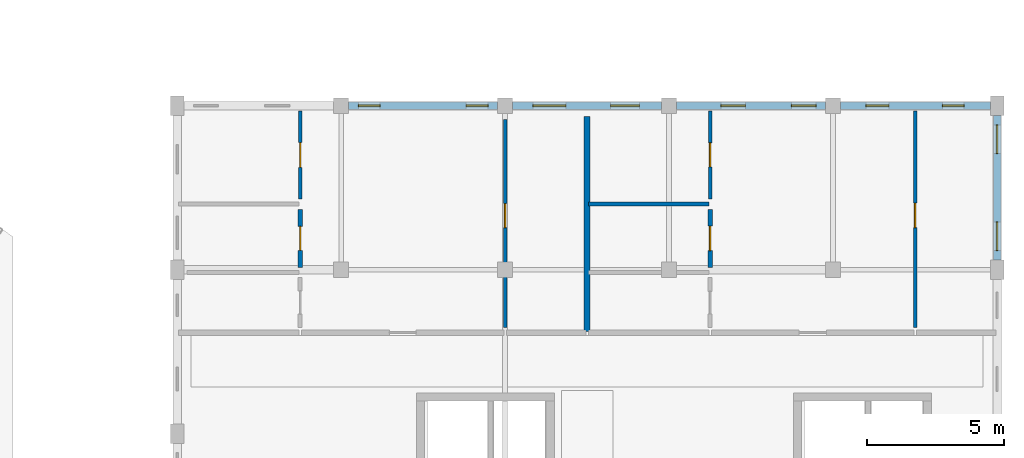
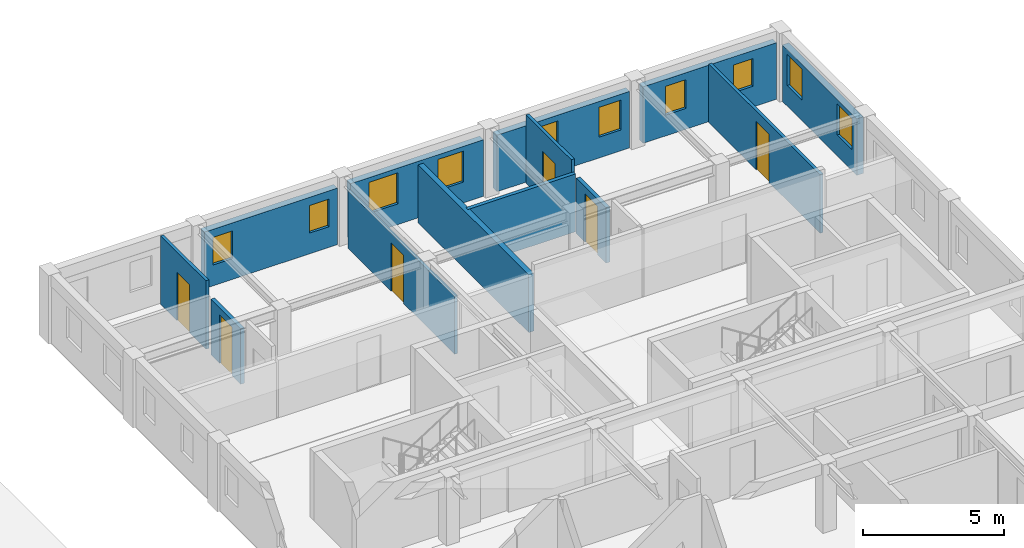
# One storey, part 43 of 58: 13 walls, 10 windows, 6 doors, 16 openings.
"""IFC4 building model written with IfcOpenShell, lengths in metres."""

from ifc_helpers import new_model, si_unit, direction, frame, frame_2d, origin, place, context, subcontext, project, spatial, rectangle, extrude, material, layer, layer_set, type_object, element, fill, save


model = new_model("IFC4")

# Units and contexts
model_context = context("Model", 3, precision=1e-05, world=origin(), true_north=direction((0.0, 1.0)))
body_context = subcontext(model_context, "Body", "Model", "MODEL_VIEW")
ifc_project = project(units=[si_unit("LENGTHUNIT", "METRE"), si_unit("AREAUNIT", "SQUARE_METRE"), si_unit("VOLUMEUNIT", "CUBIC_METRE"), si_unit("PLANEANGLEUNIT", "RADIAN"), si_unit("MASSUNIT", "GRAM", prefix="KILO"), si_unit("POWERUNIT", "WATT"), si_unit("THERMODYNAMICTEMPERATUREUNIT", "KELVIN")], contexts=[model_context])

# Site, building, storey
site_placement = place(None, origin())
site = spatial("IfcSite", under=ifc_project, at=site_placement, CompositionType="ELEMENT")
building_placement = place(site_placement, origin())
building = spatial("IfcBuilding", under=site, at=building_placement, Name="Ruvembo Vaulted Housing Court", CompositionType="ELEMENT")
storey_placement = place(building_placement, frame((0.0, 0.0, 20.5)))
storey = spatial("IfcBuildingStorey", under=building, at=storey_placement, Name="L06", CompositionType="ELEMENT", Elevation=20.5)

# Wall
ifc_material_1 = material(Name="Acoustic Masonry Demising 220", Category="masonry")
ifc_layer_1 = layer(ifc_material_1, 0.219970703125, Name="Acoustic Masonry Demising 220")
ifc_layer_set_1 = layer_set([ifc_layer_1], Name="Acoustic Masonry Demising 220")
wall_type_1 = type_object("IfcWallType", Name="WL-DEM-200", PredefinedType="SOLIDWALL", material=ifc_layer_set_1)
wall_1_placement = place(storey_placement, frame((171.0, 93.739990234375, 0.0), z_axis=(0.0, 0.0, 1.0), x_axis=(0.0, 1.0, 0.0)))
element("IfcWall", 1, at=wall_1_placement, inside=storey, type_object=wall_type_1, Name="L06 Demising D-L06-N1 WL-INT-L06-01843", PredefinedType="SOLIDWALL", context=body_context, shape_type="SweptSolid", body=[
    extrude(rectangle(XDim=7.8701171875, YDim=0.219970703125, at=frame_2d((3.93505859375, 0.0))), origin(), (0.0, 0.0, 1.0), 2.508056640625),
])

# Wall, openings, windows
ifc_material_2 = material(Name="Rendered Masonry 270", Category="masonry")
ifc_layer_2 = layer(ifc_material_2, 0.27001953125, Name="Rendered Masonry 270")
ifc_layer_set_2 = layer_set([ifc_layer_2], Name="Rendered Masonry 270")
wall_type_2 = type_object("IfcWallType", Name="WL-EXT-270", PredefinedType="STANDARD", material=ifc_layer_set_2)
wall_2_placement = place(storey_placement, frame((186.0, 96.35009765625, 0.0), z_axis=(0.0, 0.0, 1.0), x_axis=(0.0, 1.0, 0.0)))
wall_2 = element("IfcWall", 2, at=wall_2_placement, inside=storey, type_object=wall_type_2, Name="Block D L06 Exterior Wall EAST #5", PredefinedType="STANDARD", context=body_context, shape_type="SweptSolid", body=[
    extrude(rectangle(XDim=5.2998046875, YDim=0.27001953125, at=frame_2d((2.64990234375, 0.0))), origin(), (0.0, 0.0, 1.0), 2.451904296875),
])
opening_1_placement = place(wall_2_placement, frame((0.35009765625, 0.0, 0.89990234375)))
opening_1 = element("IfcOpeningElement", 3, at=opening_1_placement, cuts=wall_2, Name="Opening W09", PredefinedType="OPENING", context=body_context, shape_type="SweptSolid", body=[
    extrude(rectangle(XDim=1.050048828125, YDim=1.35009765625, at=frame_2d((0.52490234375, 0.675048828125))), frame((0.0, 0.14501953125, 0.0), z_axis=(0.0, -1.0, 0.0), x_axis=(1.0, 0.0, 0.0)), (0.0, 0.0, 1.0), 0.2900390625),
])
opening_2_placement = place(wall_2_placement, frame((3.89990234375, 0.0, 0.89990234375)))
opening_2 = element("IfcOpeningElement", 4, at=opening_2_placement, cuts=wall_2, Name="Opening W09", PredefinedType="OPENING", context=body_context, shape_type="SweptSolid", body=[
    extrude(rectangle(XDim=1.050048828125, YDim=1.35009765625, at=frame_2d((0.52490234375, 0.675048828125))), frame((0.0, 0.14501953125, 0.0), z_axis=(0.0, -1.0, 0.0), x_axis=(1.0, 0.0, 0.0)), (0.0, 0.0, 1.0), 0.2900390625),
])
ifc_material_3 = material(Name="Double Solar-Control Glazing in Aluminium Frame", Category="aluminium")
window_type_1 = type_object("IfcWindowType", Name="WIN-1050x1350", PartitioningType="SINGLE_PANEL", PredefinedType="WINDOW", material=ifc_material_3)
window_1_placement = place(opening_1_placement, origin())
window_1 = element("IfcWindow", 5, at=window_1_placement, inside=storey, type_object=window_type_1, Name="Block D L06 Window #1720", OverallHeight=1.35009765625, OverallWidth=1.050048828125, PartitioningType="SINGLE_PANEL", PredefinedType="WINDOW", context=body_context, shape_type="SweptSolid", body=[
    extrude(rectangle(XDim=1.050048828125, YDim=1.35009765625, at=frame_2d((0.52490234375, 0.675048828125))), frame((0.0, 0.030029296875, 0.0), z_axis=(0.0, -1.0, 0.0), x_axis=(1.0, 0.0, 0.0)), (0.0, 0.0, 1.0), 0.06005859375),
])
fill(opening_1, window_1)
window_2_placement = place(opening_2_placement, origin())
window_2 = element("IfcWindow", 6, at=window_2_placement, inside=storey, type_object=window_type_1, Name="Block D L06 Window #1721", OverallHeight=1.35009765625, OverallWidth=1.050048828125, PartitioningType="SINGLE_PANEL", PredefinedType="WINDOW", context=body_context, shape_type="SweptSolid", body=[
    extrude(rectangle(XDim=1.050048828125, YDim=1.35009765625, at=frame_2d((0.52490234375, 0.675048828125))), frame((0.0, 0.030029296875, 0.0), z_axis=(0.0, -1.0, 0.0), x_axis=(1.0, 0.0, 0.0)), (0.0, 0.0, 1.0), 0.06005859375),
])
fill(opening_2, window_2)

wall_3_placement = place(storey_placement, frame((185.75, 102.0, 0.0), z_axis=(0.0, 0.0, 1.0), x_axis=(-1.0, 0.0, 0.0)))
wall_3 = element("IfcWall", 7, at=wall_3_placement, inside=storey, type_object=wall_type_2, Name="Block D L06 Exterior Wall STREET #1", PredefinedType="STANDARD", context=body_context, shape_type="SweptSolid", body=[
    extrude(rectangle(XDim=5.47509765625, YDim=0.27001953125, at=frame_2d((2.737548828125, 0.0))), origin(), (0.0, 0.0, 1.0), 2.451904296875),
])
opening_3_placement = place(wall_3_placement, frame((0.955078125, 0.0, 0.89990234375)))
opening_3 = element("IfcOpeningElement", 8, at=opening_3_placement, cuts=wall_3, Name="Opening W02", PredefinedType="OPENING", context=body_context, shape_type="SweptSolid", body=[
    extrude(rectangle(XDim=0.800048828125, YDim=1.199951171875, at=frame_2d((0.39990234375, 0.60009765625))), frame((0.0, 0.14501953125, 0.0), z_axis=(0.0, -1.0, 0.0), x_axis=(1.0, 0.0, 0.0)), (0.0, 0.0, 1.0), 0.2900390625),
])
opening_4_placement = place(wall_3_placement, frame((3.70751953125, 0.0, 0.89990234375)))
opening_4 = element("IfcOpeningElement", 9, at=opening_4_placement, cuts=wall_3, Name="Opening W03", PredefinedType="OPENING", context=body_context, shape_type="SweptSolid", body=[
    extrude(rectangle(XDim=0.85009765625, YDim=1.25, at=frame_2d((0.425048828125, 0.625))), frame((0.0, 0.14501953125, 0.0), z_axis=(0.0, -1.0, 0.0), x_axis=(1.0, 0.0, 0.0)), (0.0, 0.0, 1.0), 0.2900390625),
])
window_type_2 = type_object("IfcWindowType", Name="WIN-0800x1200", PartitioningType="SINGLE_PANEL", PredefinedType="WINDOW", material=ifc_material_3)
window_3_placement = place(opening_3_placement, origin())
window_3 = element("IfcWindow", 10, at=window_3_placement, inside=storey, type_object=window_type_2, Name="Block D L06 Window #1722", OverallHeight=1.199951171875, OverallWidth=0.800048828125, PartitioningType="SINGLE_PANEL", PredefinedType="WINDOW", context=body_context, shape_type="SweptSolid", body=[
    extrude(rectangle(XDim=0.800048828125, YDim=1.199951171875, at=frame_2d((0.39990234375, 0.60009765625))), frame((0.0, 0.030029296875, 0.0), z_axis=(0.0, -1.0, 0.0), x_axis=(1.0, 0.0, 0.0)), (0.0, 0.0, 1.0), 0.06005859375),
])
fill(opening_3, window_3)
window_type_3 = type_object("IfcWindowType", Name="WIN-0850x1250", PartitioningType="SINGLE_PANEL", PredefinedType="WINDOW", material=ifc_material_3)
window_4_placement = place(opening_4_placement, origin())
window_4 = element("IfcWindow", 11, at=window_4_placement, inside=storey, type_object=window_type_3, Name="Block D L06 Window #1723", OverallHeight=1.25, OverallWidth=0.85009765625, PartitioningType="SINGLE_PANEL", PredefinedType="WINDOW", context=body_context, shape_type="SweptSolid", body=[
    extrude(rectangle(XDim=0.85009765625, YDim=1.25, at=frame_2d((0.425048828125, 0.625))), frame((0.0, 0.030029296875, 0.0), z_axis=(0.0, -1.0, 0.0), x_axis=(1.0, 0.0, 0.0)), (0.0, 0.0, 1.0), 0.06005859375),
])
fill(opening_4, window_4)

wall_4_placement = place(storey_placement, frame((179.72509765625, 102.0, 0.0), z_axis=(0.0, 0.0, 1.0), x_axis=(-1.0, 0.0, 0.0)))
wall_4 = element("IfcWall", 12, at=wall_4_placement, inside=storey, type_object=wall_type_2, Name="Block D L06 Exterior Wall STREET #2", PredefinedType="STANDARD", context=body_context, shape_type="SweptSolid", body=[
    extrude(rectangle(XDim=5.4501953125, YDim=0.27001953125, at=frame_2d((2.72509765625, 0.0))), origin(), (0.0, 0.0, 1.0), 2.451904296875),
])
opening_5_placement = place(wall_4_placement, frame((0.35009765625, 0.0, 0.89990234375)))
opening_5 = element("IfcOpeningElement", 13, at=opening_5_placement, cuts=wall_4, Name="Opening W04", PredefinedType="OPENING", context=body_context, shape_type="SweptSolid", body=[
    extrude(rectangle(XDim=0.89990234375, YDim=1.300048828125, at=frame_2d((0.449951171875, 0.64990234375))), frame((0.0, 0.14501953125, 0.0), z_axis=(0.0, -1.0, 0.0), x_axis=(1.0, 0.0, 0.0)), (0.0, 0.0, 1.0), 0.2900390625),
])
opening_6_placement = place(wall_4_placement, frame((2.93505859375, 0.0, 0.89990234375)))
opening_6 = element("IfcOpeningElement", 14, at=opening_6_placement, cuts=wall_4, Name="Opening W04", PredefinedType="OPENING", context=body_context, shape_type="SweptSolid", body=[
    extrude(rectangle(XDim=0.89990234375, YDim=1.300048828125, at=frame_2d((0.449951171875, 0.64990234375))), frame((0.0, 0.14501953125, 0.0), z_axis=(0.0, -1.0, 0.0), x_axis=(1.0, 0.0, 0.0)), (0.0, 0.0, 1.0), 0.2900390625),
])
window_type_4 = type_object("IfcWindowType", Name="WIN-0900x1300", PartitioningType="SINGLE_PANEL", PredefinedType="WINDOW", material=ifc_material_3)
window_5_placement = place(opening_5_placement, origin())
window_5 = element("IfcWindow", 15, at=window_5_placement, inside=storey, type_object=window_type_4, Name="Block D L06 Window #1724", OverallHeight=1.300048828125, OverallWidth=0.89990234375, PartitioningType="SINGLE_PANEL", PredefinedType="WINDOW", context=body_context, shape_type="SweptSolid", body=[
    extrude(rectangle(XDim=0.89990234375, YDim=1.300048828125, at=frame_2d((0.449951171875, 0.64990234375))), frame((0.0, 0.030029296875, 0.0), z_axis=(0.0, -1.0, 0.0), x_axis=(1.0, 0.0, 0.0)), (0.0, 0.0, 1.0), 0.06005859375),
])
fill(opening_5, window_5)
window_6_placement = place(opening_6_placement, origin())
window_6 = element("IfcWindow", 16, at=window_6_placement, inside=storey, type_object=window_type_4, Name="Block D L06 Window #1725", OverallHeight=1.300048828125, OverallWidth=0.89990234375, PartitioningType="SINGLE_PANEL", PredefinedType="WINDOW", context=body_context, shape_type="SweptSolid", body=[
    extrude(rectangle(XDim=0.89990234375, YDim=1.300048828125, at=frame_2d((0.449951171875, 0.64990234375))), frame((0.0, 0.030029296875, 0.0), z_axis=(0.0, -1.0, 0.0), x_axis=(1.0, 0.0, 0.0)), (0.0, 0.0, 1.0), 0.06005859375),
])
fill(opening_6, window_6)

wall_5_placement = place(storey_placement, frame((173.72509765625, 102.0, 0.0), z_axis=(0.0, 0.0, 1.0), x_axis=(-1.0, 0.0, 0.0)))
wall_5 = element("IfcWall", 17, at=wall_5_placement, inside=storey, type_object=wall_type_2, Name="Block D L06 Exterior Wall STREET #3", PredefinedType="STANDARD", context=body_context, shape_type="SweptSolid", body=[
    extrude(rectangle(XDim=5.4501953125, YDim=0.27001953125, at=frame_2d((2.72509765625, 0.0))), origin(), (0.0, 0.0, 1.0), 2.451904296875),
])
opening_7_placement = place(wall_5_placement, frame((0.8173828125, 0.0, 0.89990234375)))
opening_7 = element("IfcOpeningElement", 18, at=opening_7_placement, cuts=wall_5, Name="Opening W09", PredefinedType="OPENING", context=body_context, shape_type="SweptSolid", body=[
    extrude(rectangle(XDim=1.050048828125, YDim=1.35009765625, at=frame_2d((0.52490234375, 0.675048828125))), frame((0.0, 0.14501953125, 0.0), z_axis=(0.0, -1.0, 0.0), x_axis=(1.0, 0.0, 0.0)), (0.0, 0.0, 1.0), 0.2900390625),
])
opening_8_placement = place(wall_5_placement, frame((3.507568359375, 0.0, 0.89990234375)))
opening_8 = element("IfcOpeningElement", 19, at=opening_8_placement, cuts=wall_5, Name="Opening W12", PredefinedType="OPENING", context=body_context, shape_type="SweptSolid", body=[
    extrude(rectangle(XDim=1.199951171875, YDim=1.35009765625, at=frame_2d((0.60009765625, 0.675048828125))), frame((0.0, 0.14501953125, 0.0), z_axis=(0.0, -1.0, 0.0), x_axis=(1.0, 0.0, 0.0)), (0.0, 0.0, 1.0), 0.2900390625),
])
window_7_placement = place(opening_7_placement, origin())
window_7 = element("IfcWindow", 20, at=window_7_placement, inside=storey, type_object=window_type_1, Name="Block D L06 Window #1726", OverallHeight=1.35009765625, OverallWidth=1.050048828125, PartitioningType="SINGLE_PANEL", PredefinedType="WINDOW", context=body_context, shape_type="SweptSolid", body=[
    extrude(rectangle(XDim=1.050048828125, YDim=1.35009765625, at=frame_2d((0.52490234375, 0.675048828125))), frame((0.0, 0.030029296875, 0.0), z_axis=(0.0, -1.0, 0.0), x_axis=(1.0, 0.0, 0.0)), (0.0, 0.0, 1.0), 0.06005859375),
])
fill(opening_7, window_7)
window_type_5 = type_object("IfcWindowType", Name="WIN-1200x1350", PartitioningType="SINGLE_PANEL", PredefinedType="WINDOW", material=ifc_material_3)
window_8_placement = place(opening_8_placement, origin())
window_8 = element("IfcWindow", 21, at=window_8_placement, inside=storey, type_object=window_type_5, Name="Block D L06 Window #1727", OverallHeight=1.35009765625, OverallWidth=1.199951171875, PartitioningType="SINGLE_PANEL", PredefinedType="WINDOW", context=body_context, shape_type="SweptSolid", body=[
    extrude(rectangle(XDim=1.199951171875, YDim=1.35009765625, at=frame_2d((0.60009765625, 0.675048828125))), frame((0.0, 0.030029296875, 0.0), z_axis=(0.0, -1.0, 0.0), x_axis=(1.0, 0.0, 0.0)), (0.0, 0.0, 1.0), 0.06005859375),
])
fill(opening_8, window_8)

wall_6_placement = place(storey_placement, frame((167.72509765625, 102.0, 0.0), z_axis=(0.0, 0.0, 1.0), x_axis=(-1.0, 0.0, 0.0)))
wall_6 = element("IfcWall", 22, at=wall_6_placement, inside=storey, type_object=wall_type_2, Name="Block D L06 Exterior Wall STREET #4", PredefinedType="STANDARD", context=body_context, shape_type="SweptSolid", body=[
    extrude(rectangle(XDim=5.4501953125, YDim=0.27001953125, at=frame_2d((2.72509765625, 0.0))), origin(), (0.0, 0.0, 1.0), 2.451904296875),
])
opening_9_placement = place(wall_6_placement, frame((0.35009765625, 0.0, 0.89990234375)))
opening_9 = element("IfcOpeningElement", 23, at=opening_9_placement, cuts=wall_6, Name="Opening W02", PredefinedType="OPENING", context=body_context, shape_type="SweptSolid", body=[
    extrude(rectangle(XDim=0.800048828125, YDim=1.199951171875, at=frame_2d((0.39990234375, 0.60009765625))), frame((0.0, 0.14501953125, 0.0), z_axis=(0.0, -1.0, 0.0), x_axis=(1.0, 0.0, 0.0)), (0.0, 0.0, 1.0), 0.2900390625),
])
opening_10_placement = place(wall_6_placement, frame((4.300048828125, 0.0, 0.89990234375)))
opening_10 = element("IfcOpeningElement", 24, at=opening_10_placement, cuts=wall_6, Name="Opening W02", PredefinedType="OPENING", context=body_context, shape_type="SweptSolid", body=[
    extrude(rectangle(XDim=0.800048828125, YDim=1.199951171875, at=frame_2d((0.39990234375, 0.60009765625))), frame((0.0, 0.14501953125, 0.0), z_axis=(0.0, -1.0, 0.0), x_axis=(1.0, 0.0, 0.0)), (0.0, 0.0, 1.0), 0.2900390625),
])
window_9_placement = place(opening_9_placement, origin())
window_9 = element("IfcWindow", 25, at=window_9_placement, inside=storey, type_object=window_type_2, Name="Block D L06 Window #1728", OverallHeight=1.199951171875, OverallWidth=0.800048828125, PartitioningType="SINGLE_PANEL", PredefinedType="WINDOW", context=body_context, shape_type="SweptSolid", body=[
    extrude(rectangle(XDim=0.800048828125, YDim=1.199951171875, at=frame_2d((0.39990234375, 0.60009765625))), frame((0.0, 0.030029296875, 0.0), z_axis=(0.0, -1.0, 0.0), x_axis=(1.0, 0.0, 0.0)), (0.0, 0.0, 1.0), 0.06005859375),
])
fill(opening_9, window_9)
window_10_placement = place(opening_10_placement, origin())
window_10 = element("IfcWindow", 26, at=window_10_placement, inside=storey, type_object=window_type_2, Name="Block D L06 Window #1729", OverallHeight=1.199951171875, OverallWidth=0.800048828125, PartitioningType="SINGLE_PANEL", PredefinedType="WINDOW", context=body_context, shape_type="SweptSolid", body=[
    extrude(rectangle(XDim=0.800048828125, YDim=1.199951171875, at=frame_2d((0.39990234375, 0.60009765625))), frame((0.0, 0.030029296875, 0.0), z_axis=(0.0, -1.0, 0.0), x_axis=(1.0, 0.0, 0.0)), (0.0, 0.0, 1.0), 0.06005859375),
])
fill(opening_10, window_10)

# Wall, opening, door
ifc_material_4 = material(Name="Plasterboard Stud Partition 125", Category="gypsum")
ifc_layer_3 = layer(ifc_material_4, 0.125, Name="Plasterboard Stud Partition 125")
ifc_layer_set_3 = layer_set([ifc_layer_3], Name="Plasterboard Stud Partition 125")
wall_type_3 = type_object("IfcWallType", Name="WL-PART-125", PredefinedType="PARTITIONING", material=ifc_layer_set_3)
wall_7_placement = place(storey_placement, frame((160.5, 98.590087890625, 0.0), z_axis=(0.0, 0.0, 1.0), x_axis=(0.0, 1.0, 0.0)))
wall_7 = element("IfcWall", 27, at=wall_7_placement, inside=storey, type_object=wall_type_3, Name="L06 Flat D-L06-N1 Bedroom 1 WL-INT-L06-01846", PredefinedType="PARTITIONING", context=body_context, shape_type="SweptSolid", body=[
    extrude(rectangle(XDim=3.219970703125, YDim=0.125, at=frame_2d((1.60986328125, 0.0))), origin(), (0.0, 0.0, 1.0), 2.969970703125),
])
opening_11_placement = place(wall_7_placement, frame((1.159912109375, 0.0, 0.0)))
opening_11 = element("IfcOpeningElement", 28, at=opening_11_placement, cuts=wall_7, Name="Opening ID1", PredefinedType="OPENING", context=body_context, shape_type="SweptSolid", body=[
    extrude(rectangle(XDim=0.89990234375, YDim=2.10009765625, at=frame_2d((0.449951171875, 1.050048828125))), frame((0.0, 0.072509765625, 0.0), z_axis=(0.0, -1.0, 0.0), x_axis=(1.0, 0.0, 0.0)), (0.0, 0.0, 1.0), 0.14501953125),
])
ifc_material_5 = material(Name="FSC Hardwood and Engineered Timber", Category="wood")
door_type_1 = type_object("IfcDoorType", Name="DR-ROOM-0900x2100", OperationType="NOTDEFINED", PredefinedType="DOOR", material=ifc_material_5)
door_1_placement = place(opening_11_placement, origin())
door_1 = element("IfcDoor", 29, at=door_1_placement, inside=storey, type_object=door_type_1, Name="L06 Flat D-L06-N1 Bedroom 1 Door DR-INT-L06-01040", OperationType="SINGLE_SWING_RIGHT", OverallHeight=2.10009765625, OverallWidth=0.89990234375, PredefinedType="DOOR", context=body_context, shape_type="SweptSolid", body=[
    extrude(rectangle(XDim=0.89990234375, YDim=2.10009765625, at=frame_2d((0.449951171875, 1.050048828125))), frame((0.0, 0.02490234375, 0.0), z_axis=(0.0, -1.0, 0.0), x_axis=(1.0, 0.0, 0.0)), (0.0, 0.0, 1.0), 0.050048828125),
])
fill(opening_11, door_1)

wall_8_placement = place(storey_placement, frame((168.0, 93.889892578125, 0.0), z_axis=(0.0, 0.0, 1.0), x_axis=(0.0, 1.0, 0.0)))
wall_8 = element("IfcWall", 30, at=wall_8_placement, inside=storey, type_object=wall_type_3, Name="L06 Flat D-L06-N1 Bedroom 2 WL-INT-L06-01852", PredefinedType="PARTITIONING", context=body_context, shape_type="SweptSolid", body=[
    extrude(rectangle(XDim=7.60009765625, YDim=0.125, at=frame_2d((3.800048828125, 0.0))), origin(), (0.0, 0.0, 1.0), 2.508056640625),
])
opening_12_placement = place(wall_8_placement, frame((3.64990234375, 0.0, 0.0)))
opening_12 = element("IfcOpeningElement", 31, at=opening_12_placement, cuts=wall_8, Name="Opening ID3", PredefinedType="OPENING", context=body_context, shape_type="SweptSolid", body=[
    extrude(rectangle(XDim=0.8798828125, YDim=2.10009765625, at=frame_2d((0.43994140625, 1.050048828125))), frame((0.0, 0.072509765625, 0.0), z_axis=(0.0, -1.0, 0.0), x_axis=(1.0, 0.0, 0.0)), (0.0, 0.0, 1.0), 0.14501953125),
])
door_type_2 = type_object("IfcDoorType", Name="DR-ROOM-0880x2100", OperationType="NOTDEFINED", PredefinedType="DOOR", material=ifc_material_5)
door_2_placement = place(opening_12_placement, origin())
door_2 = element("IfcDoor", 32, at=door_2_placement, inside=storey, type_object=door_type_2, Name="L06 Flat D-L06-N1 Bedroom 2 Door DR-INT-L06-01043", OperationType="SINGLE_SWING_LEFT", OverallHeight=2.10009765625, OverallWidth=0.8798828125, PredefinedType="DOOR", context=body_context, shape_type="SweptSolid", body=[
    extrude(rectangle(XDim=0.8798828125, YDim=2.10009765625, at=frame_2d((0.43994140625, 1.050048828125))), frame((0.0, 0.02490234375, 0.0), z_axis=(0.0, -1.0, 0.0), x_axis=(1.0, 0.0, 0.0)), (0.0, 0.0, 1.0), 0.050048828125),
])
fill(opening_12, door_2)

wall_9_placement = place(storey_placement, frame((175.5, 98.590087890625, 0.0), z_axis=(0.0, 0.0, 1.0), x_axis=(0.0, 1.0, 0.0)))
wall_9 = element("IfcWall", 33, at=wall_9_placement, inside=storey, type_object=wall_type_3, Name="L06 Flat D-L06-N2 Bedroom 1 WL-INT-L06-01855", PredefinedType="PARTITIONING", context=body_context, shape_type="SweptSolid", body=[
    extrude(rectangle(XDim=3.219970703125, YDim=0.125, at=frame_2d((1.60986328125, 0.0))), origin(), (0.0, 0.0, 1.0), 2.969970703125),
])
opening_13_placement = place(wall_9_placement, frame((1.169921875, 0.0, 0.0)))
opening_13 = element("IfcOpeningElement", 34, at=opening_13_placement, cuts=wall_9, Name="Opening ID3", PredefinedType="OPENING", context=body_context, shape_type="SweptSolid", body=[
    extrude(rectangle(XDim=0.8798828125, YDim=2.10009765625, at=frame_2d((0.43994140625, 1.050048828125))), frame((0.0, 0.072509765625, 0.0), z_axis=(0.0, -1.0, 0.0), x_axis=(1.0, 0.0, 0.0)), (0.0, 0.0, 1.0), 0.14501953125),
])
door_3_placement = place(opening_13_placement, origin())
door_3 = element("IfcDoor", 35, at=door_3_placement, inside=storey, type_object=door_type_2, Name="L06 Flat D-L06-N2 Bedroom 1 Door DR-INT-L06-01045", OperationType="SINGLE_SWING_LEFT", OverallHeight=2.10009765625, OverallWidth=0.8798828125, PredefinedType="DOOR", context=body_context, shape_type="SweptSolid", body=[
    extrude(rectangle(XDim=0.8798828125, YDim=2.10009765625, at=frame_2d((0.43994140625, 1.050048828125))), frame((0.0, 0.02490234375, 0.0), z_axis=(0.0, -1.0, 0.0), x_axis=(1.0, 0.0, 0.0)), (0.0, 0.0, 1.0), 0.050048828125),
])
fill(opening_13, door_3)

wall_10_placement = place(storey_placement, frame((183.0, 93.889892578125, 0.0), z_axis=(0.0, 0.0, 1.0), x_axis=(0.0, 1.0, 0.0)))
wall_10 = element("IfcWall", 36, at=wall_10_placement, inside=storey, type_object=wall_type_3, Name="L06 Flat D-L06-N2 Bedroom 2 WL-INT-L06-01861", PredefinedType="PARTITIONING", context=body_context, shape_type="SweptSolid", body=[
    extrude(rectangle(XDim=7.920166015625, YDim=0.125, at=frame_2d((3.9599609375, 0.0))), origin(), (0.0, 0.0, 1.0), 2.548095703125),
])
opening_14_placement = place(wall_10_placement, frame((3.64990234375, 0.0, 0.0)))
opening_14 = element("IfcOpeningElement", 37, at=opening_14_placement, cuts=wall_10, Name="Opening ID1", PredefinedType="OPENING", context=body_context, shape_type="SweptSolid", body=[
    extrude(rectangle(XDim=0.89990234375, YDim=2.10009765625, at=frame_2d((0.449951171875, 1.050048828125))), frame((0.0, 0.072509765625, 0.0), z_axis=(0.0, -1.0, 0.0), x_axis=(1.0, 0.0, 0.0)), (0.0, 0.0, 1.0), 0.14501953125),
])
door_4_placement = place(opening_14_placement, origin())
door_4 = element("IfcDoor", 38, at=door_4_placement, inside=storey, type_object=door_type_1, Name="L06 Flat D-L06-N2 Bedroom 2 Door DR-INT-L06-01048", OperationType="SINGLE_SWING_RIGHT", OverallHeight=2.10009765625, OverallWidth=0.89990234375, PredefinedType="DOOR", context=body_context, shape_type="SweptSolid", body=[
    extrude(rectangle(XDim=0.89990234375, YDim=2.10009765625, at=frame_2d((0.449951171875, 1.050048828125))), frame((0.0, 0.02490234375, 0.0), z_axis=(0.0, -1.0, 0.0), x_axis=(1.0, 0.0, 0.0)), (0.0, 0.0, 1.0), 0.050048828125),
])
fill(opening_14, door_4)

# Wall
ifc_material_6 = material(Name="Moisture-Resistant Wet Partition 150", Category="gypsum")
ifc_layer_4 = layer(ifc_material_6, 0.14990234375, Name="Moisture-Resistant Wet Partition 150")
ifc_layer_set_4 = layer_set([ifc_layer_4], Name="Moisture-Resistant Wet Partition 150")
wall_type_4 = type_object("IfcWallType", Name="WL-PART-150", PredefinedType="PARTITIONING", material=ifc_layer_set_4)
wall_11_placement = place(storey_placement, frame((171.0400390625, 98.39990234375, 0.0), z_axis=(0.0, 0.0, 1.0), x_axis=(1.0, 0.0, 0.0)))
element("IfcWall", 39, at=wall_11_placement, inside=storey, type_object=wall_type_4, Name="L06 Flat D-L06-N2 Wet Wall 1 WL-INT-L06-01858", PredefinedType="PARTITIONING", context=body_context, shape_type="SweptSolid", body=[
    extrude(rectangle(XDim=4.419921875, YDim=0.14990234375, at=frame_2d((2.2099609375, 0.0))), origin(), (0.0, 0.0, 1.0), 2.508056640625),
])

# Wall, opening, door
ifc_material_7 = material(Name="Acoustic Service Chase Wall 160", Category="gypsum")
ifc_layer_5 = layer(ifc_material_7, 0.159912109375, Name="Acoustic Service Chase Wall 160")
ifc_layer_set_5 = layer_set([ifc_layer_5], Name="Acoustic Service Chase Wall 160")
wall_type_5 = type_object("IfcWallType", Name="WL-PLUMB-160", PredefinedType="PLUMBINGWALL", material=ifc_layer_set_5)
wall_12_placement = place(storey_placement, frame((160.5, 96.090087890625, 0.0), z_axis=(0.0, 0.0, 1.0), x_axis=(0.0, 1.0, 0.0)))
wall_12 = element("IfcWall", 40, at=wall_12_placement, inside=storey, type_object=wall_type_5, Name="L06 Flat D-L06-N1 Kitchen WL-INT-L06-01847", PredefinedType="PLUMBINGWALL", context=body_context, shape_type="SweptSolid", body=[
    extrude(rectangle(XDim=2.119873046875, YDim=0.159912109375, at=frame_2d((1.06005859375, 0.0))), origin(), (0.0, 0.0, 1.0), 2.407958984375),
])
opening_15_placement = place(wall_12_placement, frame((0.6201171875, 0.0, 0.0)))
opening_15 = element("IfcOpeningElement", 41, at=opening_15_placement, cuts=wall_12, Name="Opening ID3", PredefinedType="OPENING", context=body_context, shape_type="SweptSolid", body=[
    extrude(rectangle(XDim=0.8798828125, YDim=2.10009765625, at=frame_2d((0.43994140625, 1.050048828125))), frame((0.0, 0.08984375, 0.0), z_axis=(0.0, -1.0, 0.0), x_axis=(1.0, 0.0, 0.0)), (0.0, 0.0, 1.0), 0.179931640625),
])
door_5_placement = place(opening_15_placement, origin())
door_5 = element("IfcDoor", 42, at=door_5_placement, inside=storey, type_object=door_type_2, Name="L06 Flat D-L06-N1 Kitchen Door DR-INT-L06-01041", OperationType="SINGLE_SWING_LEFT", OverallHeight=2.10009765625, OverallWidth=0.8798828125, PredefinedType="DOOR", context=body_context, shape_type="SweptSolid", body=[
    extrude(rectangle(XDim=0.8798828125, YDim=2.10009765625, at=frame_2d((0.43994140625, 1.050048828125))), frame((0.0, 0.02490234375, 0.0), z_axis=(0.0, -1.0, 0.0), x_axis=(1.0, 0.0, 0.0)), (0.0, 0.0, 1.0), 0.050048828125),
])
fill(opening_15, door_5)

wall_13_placement = place(storey_placement, frame((175.5, 96.090087890625, 0.0), z_axis=(0.0, 0.0, 1.0), x_axis=(0.0, 1.0, 0.0)))
wall_13 = element("IfcWall", 43, at=wall_13_placement, inside=storey, type_object=wall_type_5, Name="L06 Flat D-L06-N2 Kitchen WL-INT-L06-01856", PredefinedType="PLUMBINGWALL", context=body_context, shape_type="SweptSolid", body=[
    extrude(rectangle(XDim=2.119873046875, YDim=0.159912109375, at=frame_2d((1.06005859375, 0.0))), origin(), (0.0, 0.0, 1.0), 2.407958984375),
])
opening_16_placement = place(wall_13_placement, frame((0.610107421875, 0.0, 0.0)))
opening_16 = element("IfcOpeningElement", 44, at=opening_16_placement, cuts=wall_13, Name="Opening ID1", PredefinedType="OPENING", context=body_context, shape_type="SweptSolid", body=[
    extrude(rectangle(XDim=0.89990234375, YDim=2.10009765625, at=frame_2d((0.449951171875, 1.050048828125))), frame((0.0, 0.08984375, 0.0), z_axis=(0.0, -1.0, 0.0), x_axis=(1.0, 0.0, 0.0)), (0.0, 0.0, 1.0), 0.179931640625),
])
door_6_placement = place(opening_16_placement, origin())
door_6 = element("IfcDoor", 45, at=door_6_placement, inside=storey, type_object=door_type_1, Name="L06 Flat D-L06-N2 Kitchen Door DR-INT-L06-01046", OperationType="SINGLE_SWING_RIGHT", OverallHeight=2.10009765625, OverallWidth=0.89990234375, PredefinedType="DOOR", context=body_context, shape_type="SweptSolid", body=[
    extrude(rectangle(XDim=0.89990234375, YDim=2.10009765625, at=frame_2d((0.449951171875, 1.050048828125))), frame((0.0, 0.02490234375, 0.0), z_axis=(0.0, -1.0, 0.0), x_axis=(1.0, 0.0, 0.0)), (0.0, 0.0, 1.0), 0.050048828125),
])
fill(opening_16, door_6)

save(model, "model.ifc")
